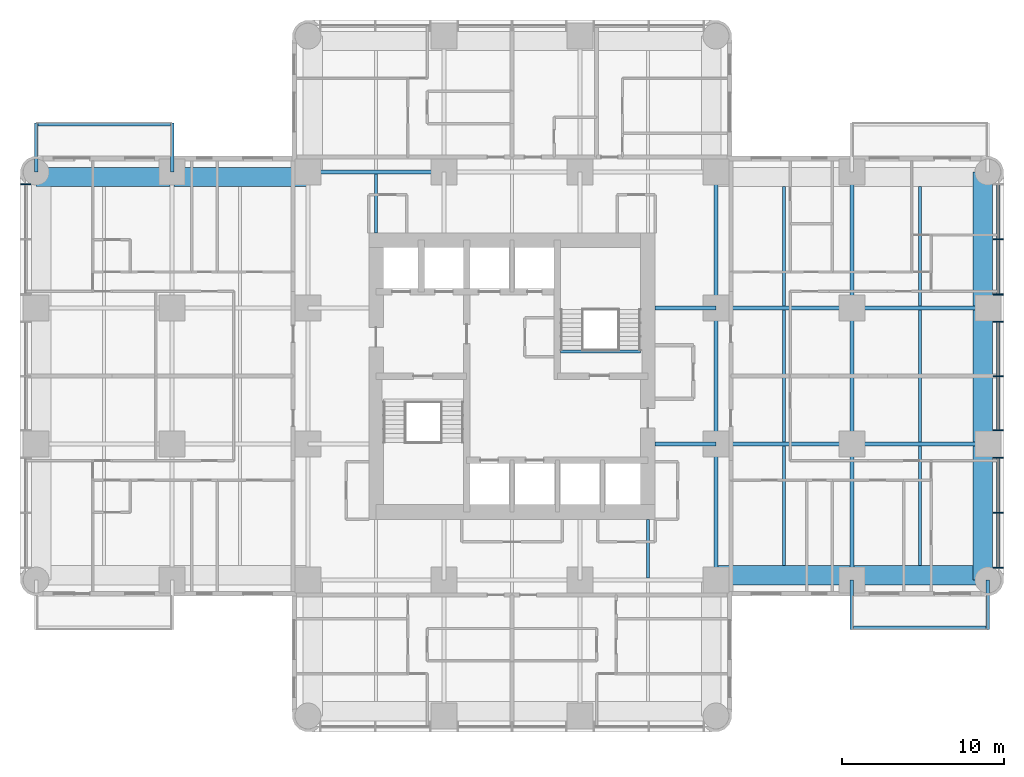
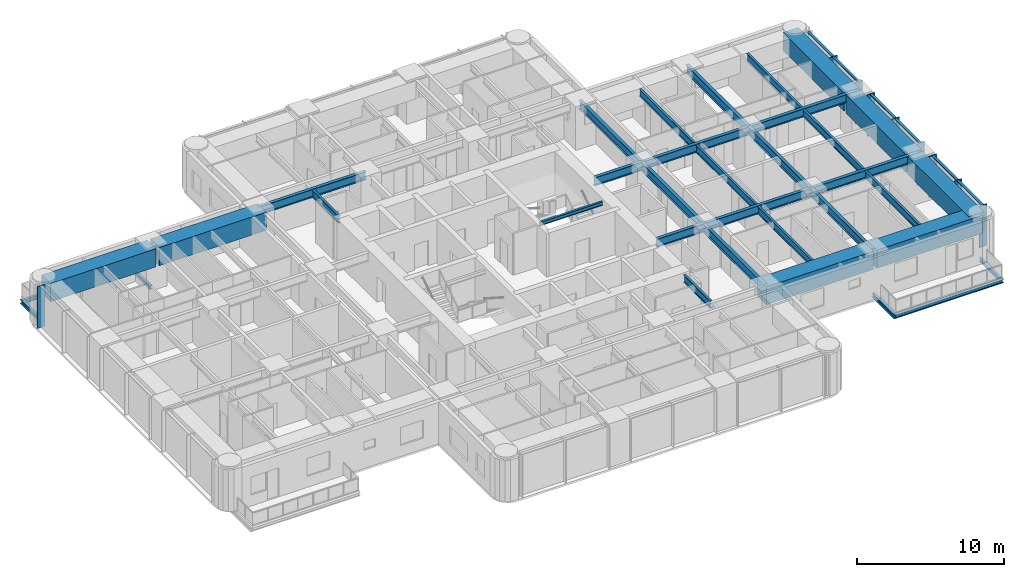
# One storey, part 3 of 15: 35 beams, 15 members, 2 elements without a shape of their own.
"""IFC4 building model written with IfcOpenShell, lengths in metres."""

from ifc_helpers import new_model, si_unit, direction, frame, origin, origin_2d, place, context, subcontext, project, spatial, rectangle, i_section, extrude, material, material_profile, profile_set, type_object, element, aggregate, save


model = new_model("IFC4")

# Units and contexts
model_context = context("Model", 3, precision=1e-05, world=origin(), true_north=direction((0.0, 1.0)))
body_context = subcontext(model_context, "Body", "Model", "MODEL_VIEW")
ifc_project = project(units=[si_unit("LENGTHUNIT", "METRE"), si_unit("AREAUNIT", "SQUARE_METRE"), si_unit("VOLUMEUNIT", "CUBIC_METRE"), si_unit("PLANEANGLEUNIT", "RADIAN"), si_unit("MASSUNIT", "GRAM", prefix="KILO")], contexts=[model_context])

# Site, building, storey
site_placement = place(None, origin())
site = spatial("IfcSite", under=ifc_project, at=site_placement, CompositionType="ELEMENT")
building_placement = place(site_placement, origin())
building = spatial("IfcBuilding", under=site, at=building_placement, Name="Torre Alcanfor", CompositionType="ELEMENT")
storey_placement = place(building_placement, frame((0.0, 0.0, 148.5)))
storey = spatial("IfcBuildingStorey", under=building, at=storey_placement, Name="L38", CompositionType="ELEMENT", Elevation=148.5)

# Beams
ifc_material_1 = material(Name="Steel ASTM A992 Grade 50", Category="steel")
ifc_material_profile_1 = material_profile(ifc_material_1, i_section(OverallWidth=0.205322265625, OverallDepth=0.309814453125, WebThickness=0.00927734375, FlangeThickness=0.016357421875, at=origin_2d()), Name="W12x50")
ifc_profile_set_1 = profile_set([ifc_material_profile_1], Name="Steel ASTM A992 Grade 50")
beam_type_1 = type_object("IfcBeamType", Name="Balcony cantilever beam W12x50", PredefinedType="BEAM", material=ifc_profile_set_1)
for number, where, z_axis, x_axis, name in (
    (1, (50.39990234375, 16.800048828125, -0.35498046875), (0.0, -1.0, 0.0), (1.0, 0.0, 0.0), "Balcony cantilever beam L38-E2 1"),
    (2, (58.800048828125, 16.800048828125, -0.35498046875), (0.0, -1.0, 0.0), (1.0, 0.0, 0.0), "Balcony cantilever beam L38-E2 2"),
    (3, (8.39990234375, 42.0, -0.35498046875), (0.0, 1.0, 0.0), (-1.0, 0.0, 0.0), "Balcony cantilever beam L38-W2 1"),
    (4, (0.0, 42.0, -0.35498046875), (0.0, 1.0, 0.0), (-1.0, 0.0, 0.0), "Balcony cantilever beam L38-W2 2"),
):
    element("IfcBeam", number, at=place(storey_placement, frame(where, z_axis=z_axis, x_axis=x_axis)), inside=storey, type_object=beam_type_1, Name=name, PredefinedType="BEAM", context=body_context, shape_type="SweptSolid", body=[
        extrude(i_section(OverallWidth=0.205322265625, OverallDepth=0.309814453125, WebThickness=0.00927734375, FlangeThickness=0.016357421875, at=origin_2d()), origin(), (0.0, 0.0, 1.0), 3.050048828125),
    ])
ifc_material_2 = material(Name="Steel ASTM A992 Grade 50", Category="steel")
ifc_material_profile_2 = material_profile(ifc_material_2, i_section(OverallWidth=0.203369140625, OverallDepth=0.30224609375, WebThickness=0.007568359375, FlangeThickness=0.01318359375, at=origin_2d()), Name="W12x40")
ifc_profile_set_2 = profile_set([ifc_material_profile_2], Name="Steel ASTM A992 Grade 50")
beam_type_2 = type_object("IfcBeamType", Name="Balcony edge trimmer W12x40", PredefinedType="BEAM", material=ifc_profile_set_2)
beam_1_placement = place(storey_placement, frame((50.39990234375, 13.851806640625, -0.35107421875), z_axis=(1.0, 0.0, 0.0), x_axis=(0.0, 1.0, 0.0)))
element("IfcBeam", 5, at=beam_1_placement, inside=storey, type_object=beam_type_2, Name="Balcony edge trimmer L38-E2", PredefinedType="BEAM", context=body_context, shape_type="SweptSolid", body=[
    extrude(i_section(OverallWidth=0.203369140625, OverallDepth=0.30224609375, WebThickness=0.007568359375, FlangeThickness=0.01318359375, at=origin_2d()), origin(), (0.0, 0.0, 1.0), 8.400146484375),
])
beam_2_placement = place(storey_placement, frame((8.39990234375, 44.9482421875, -0.35107421875), z_axis=(-1.0, 0.0, 0.0), x_axis=(0.0, -1.0, 0.0)))
element("IfcBeam", 6, at=beam_2_placement, inside=storey, type_object=beam_type_2, Name="Balcony edge trimmer L38-W2", PredefinedType="BEAM", context=body_context, shape_type="SweptSolid", body=[
    extrude(i_section(OverallWidth=0.203369140625, OverallDepth=0.30224609375, WebThickness=0.007568359375, FlangeThickness=0.01318359375, at=origin_2d()), origin(), (0.0, 0.0, 1.0), 8.39990234375),
])

# Curtain wall, member
ifc_material_3 = material(Name="Aluminium and glass", Category="aluminium")
curtain_wall_type = type_object("IfcCurtainWallType", Name="CW-A unitised apartment glazing with vertical FIN", PredefinedType="NOTDEFINED", material=ifc_material_3)
curtain_wall_1_placement = place(storey_placement, origin())
curtain_wall_1 = element("IfcCurtainWall", 7, at=curtain_wall_1_placement, inside=storey, type_object=curtain_wall_type, Name="Curtain wall CW-A L38 2", PredefinedType="NOTDEFINED")
ifc_material_4 = material(Name="Bronze anodised aluminium", Category="aluminium")
ifc_material_profile_3 = material_profile(ifc_material_4, rectangle(XDim=0.60009765625, YDim=0.06494140625, at=origin_2d()), Name="CW-A mullion 65x600")
ifc_profile_set_3 = profile_set([ifc_material_profile_3], Name="Bronze anodised aluminium")
member_type_1 = type_object("IfcMemberType", Name="CW-A mullion with vertical FIN 65x600", PredefinedType="MULLION", material=ifc_profile_set_3)
member_1_placement = place(storey_placement, frame((-0.64990234375, 41.24267578125, 0.0), z_axis=(0.0, 0.0, 1.0), x_axis=(1.0, 0.0, 0.0)))
member_1 = element("IfcMember", 8, at=member_1_placement, type_object=member_type_1, Name="CW-A mullion 1.1", PredefinedType="MULLION", context=body_context, shape_type="SweptSolid", body=[
    extrude(rectangle(XDim=0.60009765625, YDim=0.06494140625, at=origin_2d()), origin(), (0.0, 0.0, 1.0), 3.449951171875),
])
aggregate(curtain_wall_1, [member_1])

# Curtain wall, members
curtain_wall_2_placement = place(storey_placement, origin())
curtain_wall_2 = element("IfcCurtainWall", 9, at=curtain_wall_2_placement, inside=storey, type_object=curtain_wall_type, Name="Curtain wall CW-A L38 8", PredefinedType="NOTDEFINED")
member_2_placement = place(storey_placement, frame((59.449951171875, 17.557373046875, 0.0), z_axis=(0.0, 0.0, 1.0), x_axis=(-1.0, 0.0, 0.0)))
member_2 = element("IfcMember", 10, at=member_2_placement, type_object=member_type_1, Name="CW-A mullion 1.1", PredefinedType="MULLION", context=body_context, shape_type="SweptSolid", body=[
    extrude(rectangle(XDim=0.60009765625, YDim=0.06494140625, at=origin_2d()), origin(), (0.0, 0.0, 1.0), 3.449951171875),
])
member_3_placement = place(storey_placement, frame((59.449951171875, 20.9599609375, 0.0), z_axis=(0.0, 0.0, 1.0), x_axis=(-1.0, 0.0, 0.0)))
member_3 = element("IfcMember", 11, at=member_3_placement, type_object=member_type_1, Name="CW-A mullion 1.2", PredefinedType="MULLION", context=body_context, shape_type="SweptSolid", body=[
    extrude(rectangle(XDim=0.60009765625, YDim=0.06494140625, at=origin_2d()), origin(), (0.0, 0.0, 1.0), 3.449951171875),
])
member_4_placement = place(storey_placement, frame((59.449951171875, 24.362548828125, 0.0), z_axis=(0.0, 0.0, 1.0), x_axis=(-1.0, 0.0, 0.0)))
member_4 = element("IfcMember", 12, at=member_4_placement, type_object=member_type_1, Name="CW-A mullion 1.3", PredefinedType="MULLION", context=body_context, shape_type="SweptSolid", body=[
    extrude(rectangle(XDim=0.60009765625, YDim=0.06494140625, at=origin_2d()), origin(), (0.0, 0.0, 1.0), 3.449951171875),
])
member_5_placement = place(storey_placement, frame((59.449951171875, 26.03759765625, 0.0), z_axis=(0.0, 0.0, 1.0), x_axis=(-1.0, 0.0, 0.0)))
member_5 = element("IfcMember", 13, at=member_5_placement, type_object=member_type_1, Name="CW-A mullion 2.1", PredefinedType="MULLION", context=body_context, shape_type="SweptSolid", body=[
    extrude(rectangle(XDim=0.60009765625, YDim=0.06494140625, at=origin_2d()), origin(), (0.0, 0.0, 1.0), 3.449951171875),
])
member_6_placement = place(storey_placement, frame((59.449951171875, 29.39990234375, 0.0), z_axis=(0.0, 0.0, 1.0), x_axis=(-1.0, 0.0, 0.0)))
member_6 = element("IfcMember", 14, at=member_6_placement, type_object=member_type_1, Name="CW-A mullion 2.2", PredefinedType="MULLION", context=body_context, shape_type="SweptSolid", body=[
    extrude(rectangle(XDim=0.60009765625, YDim=0.06494140625, at=origin_2d()), origin(), (0.0, 0.0, 1.0), 3.449951171875),
])
member_7_placement = place(storey_placement, frame((59.449951171875, 32.762451171875, 0.0), z_axis=(0.0, 0.0, 1.0), x_axis=(-1.0, 0.0, 0.0)))
member_7 = element("IfcMember", 15, at=member_7_placement, type_object=member_type_1, Name="CW-A mullion 2.3", PredefinedType="MULLION", context=body_context, shape_type="SweptSolid", body=[
    extrude(rectangle(XDim=0.60009765625, YDim=0.06494140625, at=origin_2d()), origin(), (0.0, 0.0, 1.0), 3.449951171875),
])
member_8_placement = place(storey_placement, frame((59.449951171875, 34.4375, 0.0), z_axis=(0.0, 0.0, 1.0), x_axis=(-1.0, 0.0, 0.0)))
member_8 = element("IfcMember", 16, at=member_8_placement, type_object=member_type_1, Name="CW-A mullion 3.1", PredefinedType="MULLION", context=body_context, shape_type="SweptSolid", body=[
    extrude(rectangle(XDim=0.60009765625, YDim=0.06494140625, at=origin_2d()), origin(), (0.0, 0.0, 1.0), 3.449951171875),
])
member_9_placement = place(storey_placement, frame((59.449951171875, 37.840087890625, 0.0), z_axis=(0.0, 0.0, 1.0), x_axis=(-1.0, 0.0, 0.0)))
member_9 = element("IfcMember", 17, at=member_9_placement, type_object=member_type_1, Name="CW-A mullion 3.2", PredefinedType="MULLION", context=body_context, shape_type="SweptSolid", body=[
    extrude(rectangle(XDim=0.60009765625, YDim=0.06494140625, at=origin_2d()), origin(), (0.0, 0.0, 1.0), 3.449951171875),
])
ifc_material_5 = material(Name="Extruded aluminium", Category="aluminium")
ifc_material_profile_4 = material_profile(ifc_material_5, rectangle(XDim=0.199951171875, YDim=0.06494140625, at=origin_2d()), Name="CW-A transom 200x65")
ifc_profile_set_4 = profile_set([ifc_material_profile_4], Name="Extruded aluminium")
member_type_2 = type_object("IfcMemberType", Name="CW-A transom 65x200", PredefinedType="USERDEFINED", material=ifc_profile_set_4)
member_10_placement = place(storey_placement, frame((59.449951171875, 17.58984375, 3.41748046875), z_axis=(0.0, 1.0, 0.0), x_axis=(-1.0, 0.0, 0.0)))
member_10 = element("IfcMember", 18, at=member_10_placement, type_object=member_type_2, Name="CW-A transom 1.1.2", ObjectType="TRANSOM", PredefinedType="USERDEFINED", context=body_context, shape_type="SweptSolid", body=[
    extrude(rectangle(XDim=0.199951171875, YDim=0.06494140625, at=origin_2d()), origin(), (0.0, 0.0, 1.0), 3.337646484375),
])
member_11_placement = place(storey_placement, frame((59.449951171875, 20.992431640625, 3.41748046875), z_axis=(0.0, 1.0, 0.0), x_axis=(-1.0, 0.0, 0.0)))
member_11 = element("IfcMember", 19, at=member_11_placement, type_object=member_type_2, Name="CW-A transom 1.2.2", ObjectType="TRANSOM", PredefinedType="USERDEFINED", context=body_context, shape_type="SweptSolid", body=[
    extrude(rectangle(XDim=0.199951171875, YDim=0.06494140625, at=origin_2d()), origin(), (0.0, 0.0, 1.0), 3.337646484375),
])
member_12_placement = place(storey_placement, frame((59.449951171875, 26.070068359375, 3.41748046875), z_axis=(0.0, 1.0, 0.0), x_axis=(-1.0, 0.0, 0.0)))
member_12 = element("IfcMember", 20, at=member_12_placement, type_object=member_type_2, Name="CW-A transom 2.1.2", ObjectType="TRANSOM", PredefinedType="USERDEFINED", context=body_context, shape_type="SweptSolid", body=[
    extrude(rectangle(XDim=0.199951171875, YDim=0.06494140625, at=origin_2d()), origin(), (0.0, 0.0, 1.0), 3.29736328125),
])
member_13_placement = place(storey_placement, frame((59.449951171875, 29.4326171875, 3.41748046875), z_axis=(0.0, 1.0, 0.0), x_axis=(-1.0, 0.0, 0.0)))
member_13 = element("IfcMember", 21, at=member_13_placement, type_object=member_type_2, Name="CW-A transom 2.2.2", ObjectType="TRANSOM", PredefinedType="USERDEFINED", context=body_context, shape_type="SweptSolid", body=[
    extrude(rectangle(XDim=0.199951171875, YDim=0.06494140625, at=origin_2d()), origin(), (0.0, 0.0, 1.0), 3.29736328125),
])
member_14_placement = place(storey_placement, frame((59.449951171875, 34.469970703125, 3.41748046875), z_axis=(0.0, 1.0, 0.0), x_axis=(-1.0, 0.0, 0.0)))
member_14 = element("IfcMember", 22, at=member_14_placement, type_object=member_type_2, Name="CW-A transom 3.1.2", ObjectType="TRANSOM", PredefinedType="USERDEFINED", context=body_context, shape_type="SweptSolid", body=[
    extrude(rectangle(XDim=0.199951171875, YDim=0.06494140625, at=origin_2d()), origin(), (0.0, 0.0, 1.0), 3.337646484375),
])
member_15_placement = place(storey_placement, frame((59.449951171875, 37.87255859375, 3.41748046875), z_axis=(0.0, 1.0, 0.0), x_axis=(-1.0, 0.0, 0.0)))
member_15 = element("IfcMember", 23, at=member_15_placement, type_object=member_type_2, Name="CW-A transom 3.2.2", ObjectType="TRANSOM", PredefinedType="USERDEFINED", context=body_context, shape_type="SweptSolid", body=[
    extrude(rectangle(XDim=0.199951171875, YDim=0.06494140625, at=origin_2d()), origin(), (0.0, 0.0, 1.0), 3.337646484375),
])
aggregate(curtain_wall_2, [member_2, member_3, member_4, member_10, member_11, member_5, member_6, member_7, member_12, member_13, member_8, member_9, member_14, member_15])

# Beams
ifc_material_6 = material(Name="Steel ASTM A992 Grade 50", Category="steel")
ifc_material_profile_5 = material_profile(ifc_material_6, i_section(OverallWidth=0.25390625, OverallDepth=0.683349609375, WebThickness=0.012451171875, FlangeThickness=0.01904296875, at=origin_2d()), Name="W27x94")
ifc_profile_set_5 = profile_set([ifc_material_profile_5], Name="Steel ASTM A992 Grade 50")
beam_type_3 = type_object("IfcBeamType", Name="Girder W27x94", PredefinedType="BEAM", material=ifc_profile_set_5)
beam_3_placement = place(storey_placement, frame((42.0, 25.199951171875, 3.1083984375), z_axis=(1.0, 0.0, 0.0), x_axis=(0.0, 1.0, 0.0)))
element("IfcBeam", 24, at=beam_3_placement, inside=storey, type_object=beam_type_3, Name="Beam 6F-7F under L39", PredefinedType="BEAM", context=body_context, shape_type="SweptSolid", body=[
    extrude(i_section(OverallWidth=0.25390625, OverallDepth=0.683349609375, WebThickness=0.012451171875, FlangeThickness=0.01904296875, at=origin_2d()), origin(), (0.0, 0.0, 1.0), 8.39990234375),
])
beam_4_placement = place(storey_placement, frame((50.39990234375, 25.199951171875, 3.1083984375), z_axis=(1.0, 0.0, 0.0), x_axis=(0.0, 1.0, 0.0)))
element("IfcBeam", 25, at=beam_4_placement, inside=storey, type_object=beam_type_3, Name="Beam 7F-8F under L39", PredefinedType="BEAM", context=body_context, shape_type="SweptSolid", body=[
    extrude(i_section(OverallWidth=0.25390625, OverallDepth=0.683349609375, WebThickness=0.012451171875, FlangeThickness=0.01904296875, at=origin_2d()), origin(), (0.0, 0.0, 1.0), 8.400146484375),
])
beam_5_placement = place(storey_placement, frame((42.0, 33.60009765625, 3.1083984375), z_axis=(1.0, 0.0, 0.0), x_axis=(0.0, 1.0, 0.0)))
element("IfcBeam", 26, at=beam_5_placement, inside=storey, type_object=beam_type_3, Name="Beam 6G-7G under L39", PredefinedType="BEAM", context=body_context, shape_type="SweptSolid", body=[
    extrude(i_section(OverallWidth=0.25390625, OverallDepth=0.683349609375, WebThickness=0.012451171875, FlangeThickness=0.01904296875, at=origin_2d()), origin(), (0.0, 0.0, 1.0), 8.39990234375),
])
beam_6_placement = place(storey_placement, frame((50.39990234375, 33.60009765625, 3.1083984375), z_axis=(1.0, 0.0, 0.0), x_axis=(0.0, 1.0, 0.0)))
element("IfcBeam", 27, at=beam_6_placement, inside=storey, type_object=beam_type_3, Name="Beam 7G-8G under L39", PredefinedType="BEAM", context=body_context, shape_type="SweptSolid", body=[
    extrude(i_section(OverallWidth=0.25390625, OverallDepth=0.683349609375, WebThickness=0.012451171875, FlangeThickness=0.01904296875, at=origin_2d()), origin(), (0.0, 0.0, 1.0), 8.400146484375),
])
for number, where, z_axis, x_axis, name in (
    (28, (16.800048828125, 42.0, 3.1083984375), (1.0, 0.0, 0.0), (0.0, 1.0, 0.0), "Beam 3H-4H under L39"),
    (29, (42.0, 16.800048828125, 3.1083984375), (0.0, 1.0, 0.0), (-1.0, 0.0, 0.0), "Beam 6E-6F under L39"),
):
    element("IfcBeam", number, at=place(storey_placement, frame(where, z_axis=z_axis, x_axis=x_axis)), inside=storey, type_object=beam_type_3, Name=name, PredefinedType="BEAM", context=body_context, shape_type="SweptSolid", body=[
        extrude(i_section(OverallWidth=0.25390625, OverallDepth=0.683349609375, WebThickness=0.012451171875, FlangeThickness=0.01904296875, at=origin_2d()), origin(), (0.0, 0.0, 1.0), 8.39990234375),
    ])
beam_7_placement = place(storey_placement, frame((42.0, 25.199951171875, 3.1083984375), z_axis=(0.0, 1.0, 0.0), x_axis=(-1.0, 0.0, 0.0)))
element("IfcBeam", 30, at=beam_7_placement, inside=storey, type_object=beam_type_3, Name="Beam 6F-6G under L39", PredefinedType="BEAM", context=body_context, shape_type="SweptSolid", body=[
    extrude(i_section(OverallWidth=0.25390625, OverallDepth=0.683349609375, WebThickness=0.012451171875, FlangeThickness=0.01904296875, at=origin_2d()), origin(), (0.0, 0.0, 1.0), 8.400146484375),
])
for number, where, z_axis, x_axis, name in (
    (31, (42.0, 33.60009765625, 3.1083984375), (0.0, 1.0, 0.0), (-1.0, 0.0, 0.0), "Beam 6G-6H under L39"),
    (32, (50.39990234375, 16.800048828125, 3.1083984375), (0.0, 1.0, 0.0), (-1.0, 0.0, 0.0), "Beam 7E-7F under L39"),
):
    element("IfcBeam", number, at=place(storey_placement, frame(where, z_axis=z_axis, x_axis=x_axis)), inside=storey, type_object=beam_type_3, Name=name, PredefinedType="BEAM", context=body_context, shape_type="SweptSolid", body=[
        extrude(i_section(OverallWidth=0.25390625, OverallDepth=0.683349609375, WebThickness=0.012451171875, FlangeThickness=0.01904296875, at=origin_2d()), origin(), (0.0, 0.0, 1.0), 8.39990234375),
    ])
beam_8_placement = place(storey_placement, frame((50.39990234375, 25.199951171875, 3.1083984375), z_axis=(0.0, 1.0, 0.0), x_axis=(-1.0, 0.0, 0.0)))
element("IfcBeam", 33, at=beam_8_placement, inside=storey, type_object=beam_type_3, Name="Beam 7F-7G under L39", PredefinedType="BEAM", context=body_context, shape_type="SweptSolid", body=[
    extrude(i_section(OverallWidth=0.25390625, OverallDepth=0.683349609375, WebThickness=0.012451171875, FlangeThickness=0.01904296875, at=origin_2d()), origin(), (0.0, 0.0, 1.0), 8.400146484375),
])
beam_9_placement = place(storey_placement, frame((50.39990234375, 33.60009765625, 3.1083984375), z_axis=(0.0, 1.0, 0.0), x_axis=(-1.0, 0.0, 0.0)))
element("IfcBeam", 34, at=beam_9_placement, inside=storey, type_object=beam_type_3, Name="Beam 7G-7H under L39", PredefinedType="BEAM", context=body_context, shape_type="SweptSolid", body=[
    extrude(i_section(OverallWidth=0.25390625, OverallDepth=0.683349609375, WebThickness=0.012451171875, FlangeThickness=0.01904296875, at=origin_2d()), origin(), (0.0, 0.0, 1.0), 8.39990234375),
])
ifc_material_7 = material(Name="Steel ASTM A992 Grade 50", Category="steel")
ifc_material_profile_6 = material_profile(ifc_material_7, i_section(OverallWidth=0.25390625, OverallDepth=0.683349609375, WebThickness=0.012451171875, FlangeThickness=0.01904296875, at=origin_2d()), Name="W27x94")
ifc_profile_set_6 = profile_set([ifc_material_profile_6], Name="Steel ASTM A992 Grade 50")
beam_type_4 = type_object("IfcBeamType", Name="Girder, part bay W27x94", PredefinedType="BEAM", material=ifc_profile_set_6)
for number, where, z_axis, x_axis, name in (
    (35, (42.0, 25.199951171875, 3.1083984375), (-1.0, 0.0, 0.0), (0.0, -1.0, 0.0), "Beam 6F-38_25F under L39"),
    (36, (42.0, 33.60009765625, 3.1083984375), (-1.0, 0.0, 0.0), (0.0, -1.0, 0.0), "Beam 6G-38_25G under L39"),
):
    element("IfcBeam", number, at=place(storey_placement, frame(where, z_axis=z_axis, x_axis=x_axis)), inside=storey, type_object=beam_type_4, Name=name, PredefinedType="BEAM", context=body_context, shape_type="SweptSolid", body=[
        extrude(i_section(OverallWidth=0.25390625, OverallDepth=0.683349609375, WebThickness=0.012451171875, FlangeThickness=0.01904296875, at=origin_2d()), origin(), (0.0, 0.0, 1.0), 3.75),
    ])
ifc_material_8 = material(Name="Concrete f'c 70 MPa", Category="concrete")
ifc_material_profile_7 = material_profile(ifc_material_8, rectangle(XDim=1.199951171875, YDim=1.5, at=origin_2d()), Name="1200x1500")
ifc_profile_set_7 = profile_set([ifc_material_profile_7], Name="Concrete f'c 70 MPa")
beam_type_5 = type_object("IfcBeamType", Name="RC perimeter beam 1200x1500", PredefinedType="BEAM", material=ifc_profile_set_7)
beam_10_placement = place(storey_placement, frame((41.873046875, 17.10009765625, 2.699951171875), z_axis=(1.0, 0.0, 0.0), x_axis=(0.0, 1.0, 0.0)))
element("IfcBeam", 37, at=beam_10_placement, inside=storey, type_object=beam_type_5, Name="Beam 6E-7E under L39", PredefinedType="BEAM", context=body_context, shape_type="SweptSolid", body=[
    extrude(rectangle(XDim=1.199951171875, YDim=1.5, at=origin_2d()), origin(), (0.0, 0.0, 1.0), 8.39990234375),
])
for number, where, z_axis, x_axis, name in (
    (38, (50.527099609375, 17.10009765625, 2.699951171875), (1.0, 0.0, 0.0), (0.0, 1.0, 0.0), "Beam 7E-8E under L39"),
    (39, (0.0, 41.699951171875, 2.699951171875), (1.0, 0.0, 0.0), (0.0, 1.0, 0.0), "Beam 1H-2H under L39"),
):
    element("IfcBeam", number, at=place(storey_placement, frame(where, z_axis=z_axis, x_axis=x_axis)), inside=storey, type_object=beam_type_5, Name=name, PredefinedType="BEAM", context=body_context, shape_type="SweptSolid", body=[
        extrude(rectangle(XDim=1.199951171875, YDim=1.5, at=origin_2d()), origin(), (0.0, 0.0, 1.0), 8.27294921875),
    ])
beam_11_placement = place(storey_placement, frame((8.527099609375, 41.699951171875, 2.699951171875), z_axis=(1.0, 0.0, 0.0), x_axis=(0.0, 1.0, 0.0)))
element("IfcBeam", 40, at=beam_11_placement, inside=storey, type_object=beam_type_5, Name="Beam 2H-3H under L39", PredefinedType="BEAM", context=body_context, shape_type="SweptSolid", body=[
    extrude(rectangle(XDim=1.199951171875, YDim=1.5, at=origin_2d()), origin(), (0.0, 0.0, 1.0), 8.39990234375),
])
beam_12_placement = place(storey_placement, frame((58.5, 16.800048828125, 2.699951171875), z_axis=(0.0, 1.0, 0.0), x_axis=(-1.0, 0.0, 0.0)))
element("IfcBeam", 41, at=beam_12_placement, inside=storey, type_object=beam_type_5, Name="Beam 8E-8F under L39", PredefinedType="BEAM", context=body_context, shape_type="SweptSolid", body=[
    extrude(rectangle(XDim=1.199951171875, YDim=1.5, at=origin_2d()), origin(), (0.0, 0.0, 1.0), 8.27294921875),
])
beam_13_placement = place(storey_placement, frame((58.5, 25.326904296875, 2.699951171875), z_axis=(0.0, 1.0, 0.0), x_axis=(-1.0, 0.0, 0.0)))
element("IfcBeam", 42, at=beam_13_placement, inside=storey, type_object=beam_type_5, Name="Beam 8F-8G under L39", PredefinedType="BEAM", context=body_context, shape_type="SweptSolid", body=[
    extrude(rectangle(XDim=1.199951171875, YDim=1.5, at=origin_2d()), origin(), (0.0, 0.0, 1.0), 8.14599609375),
])
beam_14_placement = place(storey_placement, frame((58.5, 33.72705078125, 2.699951171875), z_axis=(0.0, 1.0, 0.0), x_axis=(-1.0, 0.0, 0.0)))
element("IfcBeam", 43, at=beam_14_placement, inside=storey, type_object=beam_type_5, Name="Beam 8G-8H under L39", PredefinedType="BEAM", context=body_context, shape_type="SweptSolid", body=[
    extrude(rectangle(XDim=1.199951171875, YDim=1.5, at=origin_2d()), origin(), (0.0, 0.0, 1.0), 8.27294921875),
])
ifc_material_9 = material(Name="Steel ASTM A992 Grade 50", Category="steel")
ifc_material_profile_8 = material_profile(ifc_material_9, i_section(OverallWidth=0.1787109375, OverallDepth=0.60205078125, WebThickness=0.010986328125, FlangeThickness=0.014892578125, at=origin_2d()), Name="W24x62")
ifc_profile_set_8 = profile_set([ifc_material_profile_8], Name="Steel ASTM A992 Grade 50")
beam_type_6 = type_object("IfcBeamType", Name="Secondary beam W24x62", PredefinedType="BEAM", material=ifc_profile_set_8)
beam_15_placement = place(storey_placement, frame((46.199951171875, 17.699951171875, 3.14892578125), z_axis=(0.0, 1.0, 0.0), x_axis=(-1.0, 0.0, 0.0)))
element("IfcBeam", 44, at=beam_15_placement, inside=storey, type_object=beam_type_6, Name="Beam 46_2E-46_2F under L39", PredefinedType="BEAM", context=body_context, shape_type="SweptSolid", body=[
    extrude(i_section(OverallWidth=0.1787109375, OverallDepth=0.60205078125, WebThickness=0.010986328125, FlangeThickness=0.014892578125, at=origin_2d()), origin(), (0.0, 0.0, 1.0), 7.373046875),
])
beam_16_placement = place(storey_placement, frame((46.199951171875, 25.326904296875, 3.14892578125), z_axis=(0.0, 1.0, 0.0), x_axis=(-1.0, 0.0, 0.0)))
element("IfcBeam", 45, at=beam_16_placement, inside=storey, type_object=beam_type_6, Name="Beam 46_2F-46_2G under L39", PredefinedType="BEAM", context=body_context, shape_type="SweptSolid", body=[
    extrude(i_section(OverallWidth=0.1787109375, OverallDepth=0.60205078125, WebThickness=0.010986328125, FlangeThickness=0.014892578125, at=origin_2d()), origin(), (0.0, 0.0, 1.0), 8.14599609375),
])
for number, where, z_axis, x_axis, name in (
    (46, (46.199951171875, 33.72705078125, 3.14892578125), (0.0, 1.0, 0.0), (-1.0, 0.0, 0.0), "Beam 46_2G-46_2H under L39"),
    (47, (54.60009765625, 17.699951171875, 3.14892578125), (0.0, 1.0, 0.0), (-1.0, 0.0, 0.0), "Beam 54_6E-54_6F under L39"),
):
    element("IfcBeam", number, at=place(storey_placement, frame(where, z_axis=z_axis, x_axis=x_axis)), inside=storey, type_object=beam_type_6, Name=name, PredefinedType="BEAM", context=body_context, shape_type="SweptSolid", body=[
        extrude(i_section(OverallWidth=0.1787109375, OverallDepth=0.60205078125, WebThickness=0.010986328125, FlangeThickness=0.014892578125, at=origin_2d()), origin(), (0.0, 0.0, 1.0), 7.373046875),
    ])
beam_17_placement = place(storey_placement, frame((54.60009765625, 25.326904296875, 3.14892578125), z_axis=(0.0, 1.0, 0.0), x_axis=(-1.0, 0.0, 0.0)))
element("IfcBeam", 48, at=beam_17_placement, inside=storey, type_object=beam_type_6, Name="Beam 54_6F-54_6G under L39", PredefinedType="BEAM", context=body_context, shape_type="SweptSolid", body=[
    extrude(i_section(OverallWidth=0.1787109375, OverallDepth=0.60205078125, WebThickness=0.010986328125, FlangeThickness=0.014892578125, at=origin_2d()), origin(), (0.0, 0.0, 1.0), 8.14599609375),
])
beam_18_placement = place(storey_placement, frame((54.60009765625, 33.72705078125, 3.14892578125), z_axis=(0.0, 1.0, 0.0), x_axis=(-1.0, 0.0, 0.0)))
element("IfcBeam", 49, at=beam_18_placement, inside=storey, type_object=beam_type_6, Name="Beam 54_6G-54_6H under L39", PredefinedType="BEAM", context=body_context, shape_type="SweptSolid", body=[
    extrude(i_section(OverallWidth=0.1787109375, OverallDepth=0.60205078125, WebThickness=0.010986328125, FlangeThickness=0.014892578125, at=origin_2d()), origin(), (0.0, 0.0, 1.0), 7.373046875),
])
ifc_material_10 = material(Name="Steel ASTM A992 Grade 50", Category="steel")
ifc_material_profile_9 = material_profile(ifc_material_10, i_section(OverallWidth=0.1787109375, OverallDepth=0.60205078125, WebThickness=0.010986328125, FlangeThickness=0.014892578125, at=origin_2d()), Name="W24x62")
ifc_profile_set_9 = profile_set([ifc_material_profile_9], Name="Steel ASTM A992 Grade 50")
beam_type_7 = type_object("IfcBeamType", Name="Secondary beam, part bay W24x62", PredefinedType="BEAM", material=ifc_profile_set_9)
for number, where, z_axis, x_axis, name in (
    (50, (21.0, 38.25, 3.14892578125), (0.0, 1.0, 0.0), (-1.0, 0.0, 0.0), "Beam 2138_25-21H under L39"),
    (51, (37.800048828125, 16.927001953125, 3.14892578125), (0.0, 1.0, 0.0), (-1.0, 0.0, 0.0), "Beam 37_8E-37_820_55 under L39"),
):
    element("IfcBeam", number, at=place(storey_placement, frame(where, z_axis=z_axis, x_axis=x_axis)), inside=storey, type_object=beam_type_7, Name=name, PredefinedType="BEAM", context=body_context, shape_type="SweptSolid", body=[
        extrude(i_section(OverallWidth=0.1787109375, OverallDepth=0.60205078125, WebThickness=0.010986328125, FlangeThickness=0.014892578125, at=origin_2d()), origin(), (0.0, 0.0, 1.0), 3.623046875),
    ])
ifc_material_11 = material(Name="Steel ASTM A992 Grade 50", Category="steel")
ifc_material_profile_10 = material_profile(ifc_material_11, i_section(OverallWidth=0.164794921875, OverallDepth=0.309814453125, WebThickness=0.005859375, FlangeThickness=0.009765625, at=origin_2d()), Name="W12x26")
ifc_profile_set_10 = profile_set([ifc_material_profile_10], Name="Steel ASTM A992 Grade 50")
beam_type_8 = type_object("IfcBeamType", Name="Stair landing beam W12x26", PredefinedType="BEAM", material=ifc_profile_set_10)
beam_19_placement = place(storey_placement, frame((32.39990234375, 30.91259765625, 3.2451171875), z_axis=(1.0, 0.0, 0.0), x_axis=(0.0, 1.0, 0.0)))
element("IfcBeam", 52, at=beam_19_placement, inside=storey, type_object=beam_type_8, Name="Landing trimmer S2 L39", PredefinedType="BEAM", context=body_context, shape_type="SweptSolid", body=[
    extrude(i_section(OverallWidth=0.164794921875, OverallDepth=0.309814453125, WebThickness=0.005859375, FlangeThickness=0.009765625, at=origin_2d()), origin(), (0.0, 0.0, 1.0), 4.9501953125),
])

save(model, "model.ifc")
